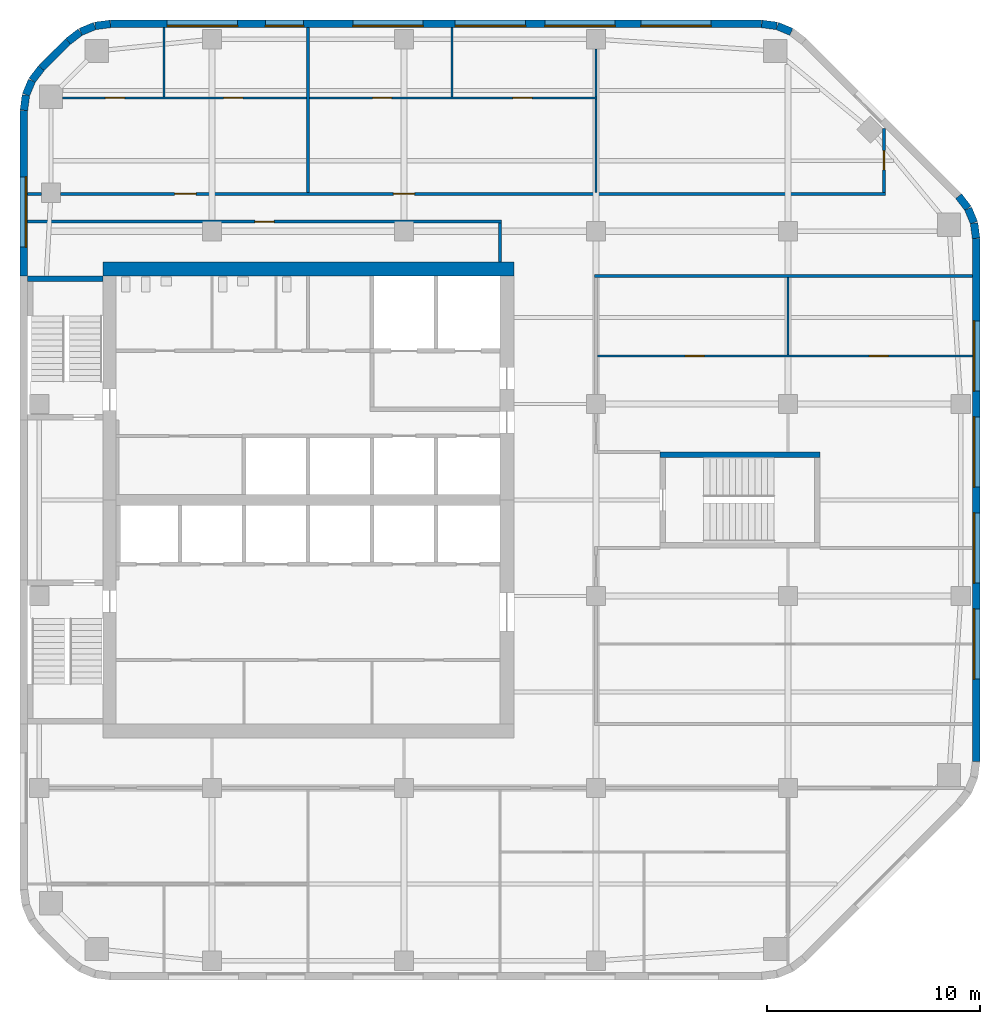
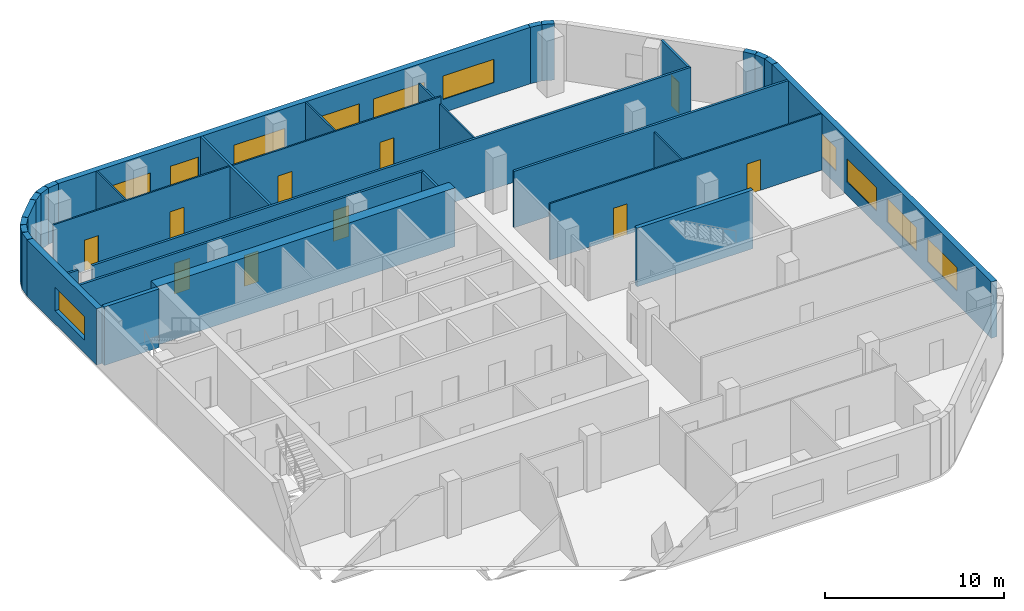
# One storey, part 5 of 8: 33 walls, 11 windows, 10 doors, 21 openings.
"""IFC4 building model written with IfcOpenShell, lengths in metres."""

from ifc_helpers import new_model, si_unit, direction, frame, frame_2d, origin, place, context, subcontext, project, spatial, rectangle, extrude, material, layer, layer_set, type_object, element, fill, save


model = new_model("IFC4")

# Units and contexts
model_context = context("Model", 3, precision=1e-05, world=origin(), true_north=direction((0.0, 1.0)))
body_context = subcontext(model_context, "Body", "Model", "MODEL_VIEW")
ifc_project = project(units=[si_unit("LENGTHUNIT", "METRE"), si_unit("AREAUNIT", "SQUARE_METRE"), si_unit("VOLUMEUNIT", "CUBIC_METRE"), si_unit("PLANEANGLEUNIT", "RADIAN"), si_unit("MASSUNIT", "GRAM", prefix="KILO")], contexts=[model_context])

# Site, building, storey
site_placement = place(None, origin())
site = spatial("IfcSite", under=ifc_project, at=site_placement, CompositionType="ELEMENT")
building_placement = place(site_placement, origin())
building = spatial("IfcBuilding", under=site, at=building_placement, Name="Cinnabar Reach Civic Tower", CompositionType="ELEMENT")
storey_placement = place(building_placement, frame((0.0, 0.0, 157.0)))
storey = spatial("IfcBuildingStorey", under=building, at=storey_placement, Name="L37", CompositionType="ELEMENT", Elevation=157.0)

# Walls
ifc_material_1 = material(Name="Facing brick with insulated backing", Category="masonry")
ifc_layer_1 = layer(ifc_material_1, 0.36)
ifc_layer_set_1 = layer_set([ifc_layer_1], Name="Brick corner wall")
wall_type_1 = type_object("IfcWallType", Name="Brick corner wall", PredefinedType="STANDARD", material=ifc_layer_set_1)
for number, where, z_axis, x_axis, name in (
    (1, (44.817, 43.7686, 0.0), (0.0, 0.0, 1.0), (-0.13055608231, 0.99144092581, 0.0), "Brick corner wall"),
    (2, (44.7181, 44.4973, 0.0), (0.0, 0.0, 1.0), (-0.382702709855, 0.923871547278, 0.0), "Brick corner wall"),
):
    element("IfcWall", number, at=place(storey_placement, frame(where, z_axis=z_axis, x_axis=x_axis)), inside=storey, type_object=wall_type_1, Name=name, PredefinedType="STANDARD", context=body_context, shape_type="SweptSolid", body=[
        extrude(rectangle(XDim=0.7131, YDim=0.36, at=frame_2d((0.3565, 0.0))), origin(), (0.0, 0.0, 1.0), 3.85),
    ])
wall_1_placement = place(storey_placement, frame((44.434, 45.1755, 0.0), z_axis=(0.0, 0.0, 1.0), x_axis=(-0.608802368033, 0.793321924995, 0.0)))
element("IfcWall", 3, at=wall_1_placement, inside=storey, type_object=wall_type_1, Name="Brick corner wall", PredefinedType="STANDARD", context=body_context, shape_type="SweptSolid", body=[
    extrude(rectangle(XDim=0.7132, YDim=0.36, at=frame_2d((0.3566, 0.0))), origin(), (0.0, 0.0, 1.0), 3.85),
])
for number, where, z_axis, x_axis, name in (
    (4, (36.1561, 53.4452, 0.0), (0.0, 0.0, 1.0), (-0.923871547278, 0.382702709855, 0.0), "Brick corner wall"),
    (5, (35.4756, 53.7239, 0.0), (0.0, 0.0, 1.0), (-0.99144092581, 0.13055608231, 0.0), "Brick corner wall"),
    (6, (4.2314, 53.817, 0.0), (0.0, 0.0, 1.0), (-0.99144092581, -0.13055608231, 0.0), "Brick corner wall"),
    (7, (3.5027, 53.7181, 0.0), (0.0, 0.0, 1.0), (-0.923871547278, -0.382702709855, 0.0), "Brick corner wall"),
):
    element("IfcWall", number, at=place(storey_placement, frame(where, z_axis=z_axis, x_axis=x_axis)), inside=storey, type_object=wall_type_1, Name=name, PredefinedType="STANDARD", context=body_context, shape_type="SweptSolid", body=[
        extrude(rectangle(XDim=0.7131, YDim=0.36, at=frame_2d((0.3565, 0.0))), origin(), (0.0, 0.0, 1.0), 3.85),
    ])
for number, where, z_axis, x_axis, name in (
    (8, (2.8245, 53.434, 0.0), (0.0, 0.0, 1.0), (-0.793321924995, -0.608802368033, 0.0), "Brick corner wall"),
    (9, (1.0002, 51.7413, 0.0), (0.0, 0.0, 1.0), (-0.608802368033, -0.793321924995, 0.0), "Brick corner wall"),
):
    element("IfcWall", number, at=place(storey_placement, frame(where, z_axis=z_axis, x_axis=x_axis)), inside=storey, type_object=wall_type_1, Name=name, PredefinedType="STANDARD", context=body_context, shape_type="SweptSolid", body=[
        extrude(rectangle(XDim=0.7132, YDim=0.36, at=frame_2d((0.3566, 0.0))), origin(), (0.0, 0.0, 1.0), 3.85),
    ])
for number, where, z_axis, x_axis, name in (
    (10, (0.5548, 51.1561, 0.0), (0.0, 0.0, 1.0), (-0.382702709855, -0.923871547278, 0.0), "Brick corner wall"),
    (11, (0.2761, 50.4756, 0.0), (0.0, 0.0, 1.0), (-0.13055608231, -0.99144092581, 0.0), "Brick corner wall"),
):
    element("IfcWall", number, at=place(storey_placement, frame(where, z_axis=z_axis, x_axis=x_axis)), inside=storey, type_object=wall_type_1, Name=name, PredefinedType="STANDARD", context=body_context, shape_type="SweptSolid", body=[
        extrude(rectangle(XDim=0.7131, YDim=0.36, at=frame_2d((0.3565, 0.0))), origin(), (0.0, 0.0, 1.0), 3.85),
    ])

# Wall, openings, windows
ifc_layer_2 = layer(ifc_material_1, 0.36)
ifc_layer_set_2 = layer_set([ifc_layer_2], Name="Brick pier and spandrel wall")
wall_type_2 = type_object("IfcWallType", Name="Brick pier and spandrel wall", PredefinedType="STANDARD", material=ifc_layer_set_2)
wall_2_placement = place(storey_placement, frame((44.82, 19.2426, 0.0), z_axis=(0.0, 0.0, 1.0), x_axis=(0.0, 1.0, 0.0)))
wall_2 = element("IfcWall", 12, at=wall_2_placement, inside=storey, type_object=wall_type_2, Name="Brick facade wall", PredefinedType="STANDARD", context=body_context, shape_type="SweptSolid", body=[
    extrude(rectangle(XDim=24.5148, YDim=0.36, at=frame_2d((12.2574, 0.0))), origin(), (0.0, 0.0, 1.0), 3.85),
])
opening_1_placement = place(wall_2_placement, frame((3.8574, 0.0, 0.9)))
opening_1 = element("IfcOpeningElement", 13, at=opening_1_placement, cuts=wall_2, Name="Opening W1768", PredefinedType="OPENING", context=body_context, shape_type="SweptSolid", body=[
    extrude(rectangle(XDim=3.3, YDim=1.6, at=frame_2d((1.65, 0.8))), frame((0.0, 0.19, 0.0), z_axis=(0.0, -1.0, 0.0), x_axis=(1.0, 0.0, 0.0)), (0.0, 0.0, 1.0), 0.38),
])
opening_2_placement = place(wall_2_placement, frame((8.3574, 0.0, 0.9)))
opening_2 = element("IfcOpeningElement", 14, at=opening_2_placement, cuts=wall_2, Name="Opening W1769", PredefinedType="OPENING", context=body_context, shape_type="SweptSolid", body=[
    extrude(rectangle(XDim=3.3, YDim=1.6, at=frame_2d((1.65, 0.8))), frame((0.0, 0.19, 0.0), z_axis=(0.0, -1.0, 0.0), x_axis=(1.0, 0.0, 0.0)), (0.0, 0.0, 1.0), 0.38),
])
opening_3_placement = place(wall_2_placement, frame((12.8574, 0.0, 0.9)))
opening_3 = element("IfcOpeningElement", 15, at=opening_3_placement, cuts=wall_2, Name="Opening W1770", PredefinedType="OPENING", context=body_context, shape_type="SweptSolid", body=[
    extrude(rectangle(XDim=3.3, YDim=1.6, at=frame_2d((1.65, 0.8))), frame((0.0, 0.19, 0.0), z_axis=(0.0, -1.0, 0.0), x_axis=(1.0, 0.0, 0.0)), (0.0, 0.0, 1.0), 0.38),
])
opening_4_placement = place(wall_2_placement, frame((17.3574, 0.0, 0.9)))
opening_4 = element("IfcOpeningElement", 16, at=opening_4_placement, cuts=wall_2, Name="Opening W1771", PredefinedType="OPENING", context=body_context, shape_type="SweptSolid", body=[
    extrude(rectangle(XDim=3.3, YDim=1.6, at=frame_2d((1.65, 0.8))), frame((0.0, 0.19, 0.0), z_axis=(0.0, -1.0, 0.0), x_axis=(1.0, 0.0, 0.0)), (0.0, 0.0, 1.0), 0.38),
])
ifc_material_2 = material(Name="Clear double glazing in aluminium frame", Category="aluminium")
window_type_1 = type_object("IfcWindowType", Name="Deep-set window A", PartitioningType="SINGLE_PANEL", PredefinedType="WINDOW", material=ifc_material_2)
window_1_placement = place(opening_1_placement, origin())
window_1 = element("IfcWindow", 17, at=window_1_placement, inside=storey, type_object=window_type_1, Name="Window east face", OverallHeight=1.6, OverallWidth=3.3, PartitioningType="SINGLE_PANEL", PredefinedType="WINDOW", context=body_context, shape_type="SweptSolid", body=[
    extrude(rectangle(XDim=3.3, YDim=1.6, at=frame_2d((1.65, 0.8))), frame((0.0, 0.13, 0.0), z_axis=(0.0, -1.0, 0.0), x_axis=(1.0, 0.0, 0.0)), (0.0, 0.0, 1.0), 0.06),
])
fill(opening_1, window_1)
window_2_placement = place(opening_2_placement, origin())
window_2 = element("IfcWindow", 18, at=window_2_placement, inside=storey, type_object=window_type_1, Name="Window east face", OverallHeight=1.6, OverallWidth=3.3, PartitioningType="SINGLE_PANEL", PredefinedType="WINDOW", context=body_context, shape_type="SweptSolid", body=[
    extrude(rectangle(XDim=3.3, YDim=1.6, at=frame_2d((1.65, 0.8))), frame((0.0, 0.13, 0.0), z_axis=(0.0, -1.0, 0.0), x_axis=(1.0, 0.0, 0.0)), (0.0, 0.0, 1.0), 0.06),
])
fill(opening_2, window_2)
window_3_placement = place(opening_3_placement, origin())
window_3 = element("IfcWindow", 19, at=window_3_placement, inside=storey, type_object=window_type_1, Name="Window east face", OverallHeight=1.6, OverallWidth=3.3, PartitioningType="SINGLE_PANEL", PredefinedType="WINDOW", context=body_context, shape_type="SweptSolid", body=[
    extrude(rectangle(XDim=3.3, YDim=1.6, at=frame_2d((1.65, 0.8))), frame((0.0, 0.13, 0.0), z_axis=(0.0, -1.0, 0.0), x_axis=(1.0, 0.0, 0.0)), (0.0, 0.0, 1.0), 0.06),
])
fill(opening_3, window_3)
window_4_placement = place(opening_4_placement, origin())
window_4 = element("IfcWindow", 20, at=window_4_placement, inside=storey, type_object=window_type_1, Name="Window east face", OverallHeight=1.6, OverallWidth=3.3, PartitioningType="SINGLE_PANEL", PredefinedType="WINDOW", context=body_context, shape_type="SweptSolid", body=[
    extrude(rectangle(XDim=3.3, YDim=1.6, at=frame_2d((1.65, 0.8))), frame((0.0, 0.13, 0.0), z_axis=(0.0, -1.0, 0.0), x_axis=(1.0, 0.0, 0.0)), (0.0, 0.0, 1.0), 0.06),
])
fill(opening_4, window_4)

wall_3_placement = place(storey_placement, frame((34.7574, 53.82, 0.0), z_axis=(0.0, 0.0, 1.0), x_axis=(-1.0, 0.0, 0.0)))
wall_3 = element("IfcWall", 21, at=wall_3_placement, inside=storey, type_object=wall_type_2, Name="Brick facade wall", PredefinedType="STANDARD", context=body_context, shape_type="SweptSolid", body=[
    extrude(rectangle(XDim=30.5148, YDim=0.36, at=frame_2d((15.2574, 0.0))), origin(), (0.0, 0.0, 1.0), 3.85),
])
opening_5_placement = place(wall_3_placement, frame((2.3574, 0.0, 0.9)))
opening_5 = element("IfcOpeningElement", 22, at=opening_5_placement, cuts=wall_3, Name="Opening W1773", PredefinedType="OPENING", context=body_context, shape_type="SweptSolid", body=[
    extrude(rectangle(XDim=3.3, YDim=1.6, at=frame_2d((1.65, 0.8))), frame((0.0, 0.19, 0.0), z_axis=(0.0, -1.0, 0.0), x_axis=(1.0, 0.0, 0.0)), (0.0, 0.0, 1.0), 0.38),
])
opening_6_placement = place(wall_3_placement, frame((6.8574, 0.0, 0.9)))
opening_6 = element("IfcOpeningElement", 23, at=opening_6_placement, cuts=wall_3, Name="Opening W1774", PredefinedType="OPENING", context=body_context, shape_type="SweptSolid", body=[
    extrude(rectangle(XDim=3.3, YDim=1.6, at=frame_2d((1.65, 0.8))), frame((0.0, 0.19, 0.0), z_axis=(0.0, -1.0, 0.0), x_axis=(1.0, 0.0, 0.0)), (0.0, 0.0, 1.0), 0.38),
])
opening_7_placement = place(wall_3_placement, frame((11.0574, 0.0, 0.9)))
opening_7 = element("IfcOpeningElement", 24, at=opening_7_placement, cuts=wall_3, Name="Opening W1775", PredefinedType="OPENING", context=body_context, shape_type="SweptSolid", body=[
    extrude(rectangle(XDim=3.3, YDim=1.6, at=frame_2d((1.65, 0.8))), frame((0.0, 0.19, 0.0), z_axis=(0.0, -1.0, 0.0), x_axis=(1.0, 0.0, 0.0)), (0.0, 0.0, 1.0), 0.38),
])
opening_8_placement = place(wall_3_placement, frame((15.8574, 0.0, 0.9)))
opening_8 = element("IfcOpeningElement", 25, at=opening_8_placement, cuts=wall_3, Name="Opening W1776", PredefinedType="OPENING", context=body_context, shape_type="SweptSolid", body=[
    extrude(rectangle(XDim=3.3, YDim=1.6, at=frame_2d((1.65, 0.8))), frame((0.0, 0.19, 0.0), z_axis=(0.0, -1.0, 0.0), x_axis=(1.0, 0.0, 0.0)), (0.0, 0.0, 1.0), 0.38),
])
opening_9_placement = place(wall_3_placement, frame((21.4574, 0.0, 0.9)))
opening_9 = element("IfcOpeningElement", 26, at=opening_9_placement, cuts=wall_3, Name="Opening W1777", PredefinedType="OPENING", context=body_context, shape_type="SweptSolid", body=[
    extrude(rectangle(XDim=1.8, YDim=1.6, at=frame_2d((0.9, 0.8))), frame((0.0, 0.19, 0.0), z_axis=(0.0, -1.0, 0.0), x_axis=(1.0, 0.0, 0.0)), (0.0, 0.0, 1.0), 0.38),
])
opening_10_placement = place(wall_3_placement, frame((24.5574, 0.0, 0.9)))
opening_10 = element("IfcOpeningElement", 27, at=opening_10_placement, cuts=wall_3, Name="Opening W1778", PredefinedType="OPENING", context=body_context, shape_type="SweptSolid", body=[
    extrude(rectangle(XDim=3.3, YDim=1.6, at=frame_2d((1.65, 0.8))), frame((0.0, 0.19, 0.0), z_axis=(0.0, -1.0, 0.0), x_axis=(1.0, 0.0, 0.0)), (0.0, 0.0, 1.0), 0.38),
])
window_5_placement = place(opening_5_placement, origin())
window_5 = element("IfcWindow", 28, at=window_5_placement, inside=storey, type_object=window_type_1, Name="Window north face", OverallHeight=1.6, OverallWidth=3.3, PartitioningType="SINGLE_PANEL", PredefinedType="WINDOW", context=body_context, shape_type="SweptSolid", body=[
    extrude(rectangle(XDim=3.3, YDim=1.6, at=frame_2d((1.65, 0.8))), frame((0.0, 0.13, 0.0), z_axis=(0.0, -1.0, 0.0), x_axis=(1.0, 0.0, 0.0)), (0.0, 0.0, 1.0), 0.06),
])
fill(opening_5, window_5)
window_6_placement = place(opening_6_placement, origin())
window_6 = element("IfcWindow", 29, at=window_6_placement, inside=storey, type_object=window_type_1, Name="Window north face", OverallHeight=1.6, OverallWidth=3.3, PartitioningType="SINGLE_PANEL", PredefinedType="WINDOW", context=body_context, shape_type="SweptSolid", body=[
    extrude(rectangle(XDim=3.3, YDim=1.6, at=frame_2d((1.65, 0.8))), frame((0.0, 0.13, 0.0), z_axis=(0.0, -1.0, 0.0), x_axis=(1.0, 0.0, 0.0)), (0.0, 0.0, 1.0), 0.06),
])
fill(opening_6, window_6)
window_7_placement = place(opening_7_placement, origin())
window_7 = element("IfcWindow", 30, at=window_7_placement, inside=storey, type_object=window_type_1, Name="Window north face", OverallHeight=1.6, OverallWidth=3.3, PartitioningType="SINGLE_PANEL", PredefinedType="WINDOW", context=body_context, shape_type="SweptSolid", body=[
    extrude(rectangle(XDim=3.3, YDim=1.6, at=frame_2d((1.65, 0.8))), frame((0.0, 0.13, 0.0), z_axis=(0.0, -1.0, 0.0), x_axis=(1.0, 0.0, 0.0)), (0.0, 0.0, 1.0), 0.06),
])
fill(opening_7, window_7)
window_8_placement = place(opening_8_placement, origin())
window_8 = element("IfcWindow", 31, at=window_8_placement, inside=storey, type_object=window_type_1, Name="Window north face", OverallHeight=1.6, OverallWidth=3.3, PartitioningType="SINGLE_PANEL", PredefinedType="WINDOW", context=body_context, shape_type="SweptSolid", body=[
    extrude(rectangle(XDim=3.3, YDim=1.6, at=frame_2d((1.65, 0.8))), frame((0.0, 0.13, 0.0), z_axis=(0.0, -1.0, 0.0), x_axis=(1.0, 0.0, 0.0)), (0.0, 0.0, 1.0), 0.06),
])
fill(opening_8, window_8)
window_9_placement = place(opening_10_placement, origin())
window_9 = element("IfcWindow", 32, at=window_9_placement, inside=storey, type_object=window_type_1, Name="Window north face", OverallHeight=1.6, OverallWidth=3.3, PartitioningType="SINGLE_PANEL", PredefinedType="WINDOW", context=body_context, shape_type="SweptSolid", body=[
    extrude(rectangle(XDim=3.3, YDim=1.6, at=frame_2d((1.65, 0.8))), frame((0.0, 0.13, 0.0), z_axis=(0.0, -1.0, 0.0), x_axis=(1.0, 0.0, 0.0)), (0.0, 0.0, 1.0), 0.06),
])
fill(opening_10, window_9)
window_type_2 = type_object("IfcWindowType", Name="Deep-set window D", PartitioningType="SINGLE_PANEL", PredefinedType="WINDOW", material=ifc_material_2)
window_10_placement = place(opening_9_placement, origin())
window_10 = element("IfcWindow", 33, at=window_10_placement, inside=storey, type_object=window_type_2, Name="Window north face", OverallHeight=1.6, OverallWidth=1.8, PartitioningType="SINGLE_PANEL", PredefinedType="WINDOW", context=body_context, shape_type="SweptSolid", body=[
    extrude(rectangle(XDim=1.8, YDim=1.6, at=frame_2d((0.9, 0.8))), frame((0.0, 0.13, 0.0), z_axis=(0.0, -1.0, 0.0), x_axis=(1.0, 0.0, 0.0)), (0.0, 0.0, 1.0), 0.06),
])
fill(opening_9, window_10)

# Wall
wall_4_placement = place(storey_placement, frame((2.2486, 52.994, 0.0), z_axis=(0.0, 0.0, 1.0), x_axis=(-0.707106781187, -0.707106781187, 0.0)))
element("IfcWall", 34, at=wall_4_placement, inside=storey, type_object=wall_type_2, Name="Brick facade wall", PredefinedType="STANDARD", context=body_context, shape_type="SweptSolid", body=[
    extrude(rectangle(XDim=1.7573, YDim=0.36, at=frame_2d((0.8787, 0.0))), origin(), (0.0, 0.0, 1.0), 3.85),
])

# Wall, opening, window
wall_5_placement = place(storey_placement, frame((0.18, 49.7574, 0.0), z_axis=(0.0, 0.0, 1.0), x_axis=(0.0, -1.0, 0.0)))
wall_5 = element("IfcWall", 35, at=wall_5_placement, inside=storey, type_object=wall_type_2, Name="Brick facade wall", PredefinedType="STANDARD", context=body_context, shape_type="SweptSolid", body=[
    extrude(rectangle(XDim=7.7574, YDim=0.36, at=frame_2d((3.8787, 0.0))), origin(), (0.0, 0.0, 1.0), 3.85),
])
opening_11_placement = place(wall_5_placement, frame((3.1074, 0.0, 0.9)))
opening_11 = element("IfcOpeningElement", 36, at=opening_11_placement, cuts=wall_5, Name="Opening W1779", PredefinedType="OPENING", context=body_context, shape_type="SweptSolid", body=[
    extrude(rectangle(XDim=3.3, YDim=1.6, at=frame_2d((1.65, 0.8))), frame((0.0, 0.19, 0.0), z_axis=(0.0, -1.0, 0.0), x_axis=(1.0, 0.0, 0.0)), (0.0, 0.0, 1.0), 0.38),
])
window_11_placement = place(opening_11_placement, origin())
window_11 = element("IfcWindow", 37, at=window_11_placement, inside=storey, type_object=window_type_1, Name="Window west face", OverallHeight=1.6, OverallWidth=3.3, PartitioningType="SINGLE_PANEL", PredefinedType="WINDOW", context=body_context, shape_type="SweptSolid", body=[
    extrude(rectangle(XDim=3.3, YDim=1.6, at=frame_2d((1.65, 0.8))), frame((0.0, 0.13, 0.0), z_axis=(0.0, -1.0, 0.0), x_axis=(1.0, 0.0, 0.0)), (0.0, 0.0, 1.0), 0.06),
])
fill(opening_11, window_11)

# Wall
ifc_material_3 = material(Name="Concrete C70", Category="concrete")
ifc_layer_3 = layer(ifc_material_3, 0.65)
ifc_layer_set_3 = layer_set([ifc_layer_3], Name="Core wall 650 EI 180")
wall_type_3 = type_object("IfcWallType", Name="Core wall 650 EI 180", PredefinedType="SOLIDWALL", material=ifc_layer_set_3)
wall_6_placement = place(storey_placement, frame((23.15, 42.325, 0.0), z_axis=(0.0, 0.0, 1.0), x_axis=(-1.0, 0.0, 0.0)))
element("IfcWall", 38, at=wall_6_placement, inside=storey, type_object=wall_type_3, Name="Core wall T1 L37 N", PredefinedType="SOLIDWALL", context=body_context, shape_type="SweptSolid", body=[
    extrude(rectangle(XDim=19.25, YDim=0.65, at=frame_2d((9.625, 0.0))), origin(), (0.0, 0.0, 1.0), 4.0),
])

# Wall, openings, doors
ifc_material_4 = material(Name="Gypsum board on steel studs, double layer", Category="steel")
ifc_layer_4 = layer(ifc_material_4, 0.15)
ifc_layer_set_4 = layer_set([ifc_layer_4], Name="Corridor wall 150 T1")
wall_type_4 = type_object("IfcWallType", Name="Corridor wall 150 T1", PredefinedType="PARTITIONING", material=ifc_layer_set_4)
wall_7_placement = place(storey_placement, frame((1.9031, 45.85, 0.0), z_axis=(0.0, 0.0, 1.0), x_axis=(1.0, 0.0, 0.0)))
wall_7 = element("IfcWall", 39, at=wall_7_placement, inside=storey, type_object=wall_type_4, Name="Corridor wall 23", PredefinedType="PARTITIONING", context=body_context, shape_type="SweptSolid", body=[
    extrude(rectangle(XDim=38.6718, YDim=0.15, at=frame_2d((19.3359, 0.0))), origin(), (0.0, 0.0, 1.0), 3.85),
])
opening_12_placement = place(wall_7_placement, frame((5.35, 0.0, 0.0)))
opening_12 = element("IfcOpeningElement", 40, at=opening_12_placement, cuts=wall_7, Name="Opening D4535", PredefinedType="OPENING", context=body_context, shape_type="SweptSolid", body=[
    extrude(rectangle(XDim=1.0, YDim=2.1, at=frame_2d((0.5, 1.05))), frame((0.0, 0.085, 0.0), z_axis=(0.0, -1.0, 0.0), x_axis=(1.0, 0.0, 0.0)), (0.0, 0.0, 1.0), 0.17),
])
opening_13_placement = place(wall_7_placement, frame((15.5969, 0.0, 0.0)))
opening_13 = element("IfcOpeningElement", 41, at=opening_13_placement, cuts=wall_7, Name="Opening D4538", PredefinedType="OPENING", context=body_context, shape_type="SweptSolid", body=[
    extrude(rectangle(XDim=1.0, YDim=2.1, at=frame_2d((0.5, 1.05))), frame((0.0, 0.085, 0.0), z_axis=(0.0, -1.0, 0.0), x_axis=(1.0, 0.0, 0.0)), (0.0, 0.0, 1.0), 0.17),
])
ifc_material_5 = material(Name="Timber door leaf in steel frame", Category="steel")
door_type_1 = type_object("IfcDoorType", Name="Tenancy entrance door 1000 x 2100 T1", OperationType="SINGLE_SWING_LEFT", PredefinedType="DOOR", material=ifc_material_5)
door_1_placement = place(opening_12_placement, origin())
door_1 = element("IfcDoor", 42, at=door_1_placement, inside=storey, type_object=door_type_1, Name="Door D4535", OperationType="SINGLE_SWING_RIGHT", OverallHeight=2.1, OverallWidth=1.0, PredefinedType="DOOR", context=body_context, shape_type="SweptSolid", body=[
    extrude(rectangle(XDim=1.0, YDim=2.1, at=frame_2d((0.5, 1.05))), frame((0.0, 0.025, 0.0), z_axis=(0.0, -1.0, 0.0), x_axis=(1.0, 0.0, 0.0)), (0.0, 0.0, 1.0), 0.05),
])
fill(opening_12, door_1)
door_2_placement = place(opening_13_placement, origin())
door_2 = element("IfcDoor", 43, at=door_2_placement, inside=storey, type_object=door_type_1, Name="Door D4538", OperationType="SINGLE_SWING_RIGHT", OverallHeight=2.1, OverallWidth=1.0, PredefinedType="DOOR", context=body_context, shape_type="SweptSolid", body=[
    extrude(rectangle(XDim=1.0, YDim=2.1, at=frame_2d((0.5, 1.05))), frame((0.0, 0.025, 0.0), z_axis=(0.0, -1.0, 0.0), x_axis=(1.0, 0.0, 0.0)), (0.0, 0.0, 1.0), 0.05),
])
fill(opening_13, door_2)

# Wall
wall_8_placement = place(storey_placement, frame((0.36, 45.85, 0.0), z_axis=(0.0, 0.0, 1.0), x_axis=(1.0, 0.0, 0.0)))
element("IfcWall", 44, at=wall_8_placement, inside=storey, type_object=wall_type_4, Name="Corridor wall 24", PredefinedType="PARTITIONING", context=body_context, shape_type="SweptSolid", body=[
    extrude(rectangle(XDim=0.6431, YDim=0.15, at=frame_2d((0.3216, 0.0))), origin(), (0.0, 0.0, 1.0), 3.85),
])

# Wall, opening, door
wall_9_placement = place(storey_placement, frame((0.36, 44.55, 0.0), z_axis=(0.0, 0.0, 1.0), x_axis=(1.0, 0.0, 0.0)))
wall_9 = element("IfcWall", 45, at=wall_9_placement, inside=storey, type_object=wall_type_4, Name="Corridor wall 25", PredefinedType="PARTITIONING", context=body_context, shape_type="SweptSolid", body=[
    extrude(rectangle(XDim=22.215, YDim=0.15, at=frame_2d((11.1075, 0.0))), origin(), (0.0, 0.0, 1.0), 3.85),
])
opening_14_placement = place(wall_9_placement, frame((10.65, 0.0, 0.0)))
opening_14 = element("IfcOpeningElement", 46, at=opening_14_placement, cuts=wall_9, Name="Opening D5794", PredefinedType="OPENING", context=body_context, shape_type="SweptSolid", body=[
    extrude(rectangle(XDim=0.9, YDim=2.1, at=frame_2d((0.45, 1.05))), frame((0.0, 0.085, 0.0), z_axis=(0.0, -1.0, 0.0), x_axis=(1.0, 0.0, 0.0)), (0.0, 0.0, 1.0), 0.17),
])
door_type_2 = type_object("IfcDoorType", Name="Single swing door 900 x 2100 corridor T1", OperationType="SINGLE_SWING_LEFT", PredefinedType="DOOR", material=ifc_material_5)
door_3_placement = place(opening_14_placement, frame((0.9, 0.0, 0.0), z_axis=(0.0, 0.0, 1.0), x_axis=(-1.0, 0.0, 0.0)))
door_3 = element("IfcDoor", 47, at=door_3_placement, inside=storey, type_object=door_type_2, Name="Door D5794", OperationType="SINGLE_SWING_LEFT", OverallHeight=2.1, OverallWidth=0.9, PredefinedType="DOOR", context=body_context, shape_type="SweptSolid", body=[
    extrude(rectangle(XDim=0.9, YDim=2.1, at=frame_2d((0.45, 1.05))), frame((0.0, 0.025, 0.0), z_axis=(0.0, -1.0, 0.0), x_axis=(1.0, 0.0, 0.0)), (0.0, 0.0, 1.0), 0.05),
])
fill(opening_14, door_3)

# Wall
wall_10_placement = place(storey_placement, frame((26.925, 42.0, 0.0), z_axis=(0.0, 0.0, 1.0), x_axis=(1.0, 0.0, 0.0)))
element("IfcWall", 48, at=wall_10_placement, inside=storey, type_object=wall_type_4, Name="Corridor wall 28", PredefinedType="PARTITIONING", context=body_context, shape_type="SweptSolid", body=[
    extrude(rectangle(XDim=17.715, YDim=0.15, at=frame_2d((8.8575, 0.0))), origin(), (0.0, 0.0, 1.0), 3.85),
])

# Wall, opening, door
wall_11_placement = place(storey_placement, frame((40.5, 45.925, 0.0), z_axis=(0.0, 0.0, 1.0), x_axis=(0.0, 1.0, 0.0)))
wall_11 = element("IfcWall", 49, at=wall_11_placement, inside=storey, type_object=wall_type_4, Name="Corridor wall 37", PredefinedType="PARTITIONING", context=body_context, shape_type="SweptSolid", body=[
    extrude(rectangle(XDim=2.991, YDim=0.15, at=frame_2d((1.4955, 0.0))), origin(), (0.0, 0.0, 1.0), 3.85),
])
opening_15_placement = place(wall_11_placement, frame((1.05, 0.0, 0.0)))
opening_15 = element("IfcOpeningElement", 50, at=opening_15_placement, cuts=wall_11, Name="Opening D4541", PredefinedType="OPENING", context=body_context, shape_type="SweptSolid", body=[
    extrude(rectangle(XDim=0.9, YDim=2.1, at=frame_2d((0.45, 1.05))), frame((0.0, 0.085, 0.0), z_axis=(0.0, -1.0, 0.0), x_axis=(1.0, 0.0, 0.0)), (0.0, 0.0, 1.0), 0.17),
])
door_4_placement = place(opening_15_placement, origin())
door_4 = element("IfcDoor", 51, at=door_4_placement, inside=storey, type_object=door_type_2, Name="Door D4541", OperationType="SINGLE_SWING_LEFT", OverallHeight=2.1, OverallWidth=0.9, PredefinedType="DOOR", context=body_context, shape_type="SweptSolid", body=[
    extrude(rectangle(XDim=0.9, YDim=2.1, at=frame_2d((0.45, 1.05))), frame((0.0, 0.025, 0.0), z_axis=(0.0, -1.0, 0.0), x_axis=(1.0, 0.0, 0.0)), (0.0, 0.0, 1.0), 0.05),
])
fill(opening_15, door_4)

# Wall
wall_12_placement = place(storey_placement, frame((22.5, 42.65, 0.0), z_axis=(0.0, 0.0, 1.0), x_axis=(0.0, 1.0, 0.0)))
element("IfcWall", 52, at=wall_12_placement, inside=storey, type_object=wall_type_4, Name="Corridor wall 40", PredefinedType="PARTITIONING", context=body_context, shape_type="SweptSolid", body=[
    extrude(rectangle(XDim=1.825, YDim=0.15, at=frame_2d((0.9125, 0.0))), origin(), (0.0, 0.0, 1.0), 3.85),
])

# Wall, openings, doors
ifc_material_6 = material(Name="Gypsum board on steel studs", Category="steel")
ifc_layer_5 = layer(ifc_material_6, 0.1)
ifc_layer_set_5 = layer_set([ifc_layer_5], Name="Partition wall 100 T1")
wall_type_5 = type_object("IfcWallType", Name="Partition wall 100 T1", PredefinedType="PARTITIONING", material=ifc_layer_set_5)
wall_13_placement = place(storey_placement, frame((13.575, 50.35, 0.0), z_axis=(0.0, 0.0, 1.0), x_axis=(1.0, 0.0, 0.0)))
wall_13 = element("IfcWall", 53, at=wall_13_placement, inside=storey, type_object=wall_type_5, Name="Partition wall 45", PredefinedType="PARTITIONING", context=body_context, shape_type="SweptSolid", body=[
    extrude(rectangle(XDim=13.475, YDim=0.1, at=frame_2d((6.7375, 0.0))), origin(), (0.0, 0.0, 1.0), 3.85),
])
opening_16_placement = place(wall_13_placement, frame((2.95, 0.0, 0.0)))
opening_16 = element("IfcOpeningElement", 54, at=opening_16_placement, cuts=wall_13, Name="Opening D4539", PredefinedType="OPENING", context=body_context, shape_type="SweptSolid", body=[
    extrude(rectangle(XDim=0.9, YDim=2.1, at=frame_2d((0.45, 1.05))), frame((0.0, 0.06, 0.0), z_axis=(0.0, -1.0, 0.0), x_axis=(1.0, 0.0, 0.0)), (0.0, 0.0, 1.0), 0.12),
])
opening_17_placement = place(wall_13_placement, frame((9.525, 0.0, 0.0)))
opening_17 = element("IfcOpeningElement", 55, at=opening_17_placement, cuts=wall_13, Name="Opening D4540", PredefinedType="OPENING", context=body_context, shape_type="SweptSolid", body=[
    extrude(rectangle(XDim=0.9, YDim=2.1, at=frame_2d((0.45, 1.05))), frame((0.0, 0.06, 0.0), z_axis=(0.0, -1.0, 0.0), x_axis=(1.0, 0.0, 0.0)), (0.0, 0.0, 1.0), 0.12),
])
door_type_3 = type_object("IfcDoorType", Name="Single swing door 900 x 2100 T1", OperationType="SINGLE_SWING_LEFT", PredefinedType="DOOR", material=ifc_material_5)
door_5_placement = place(opening_16_placement, origin())
door_5 = element("IfcDoor", 56, at=door_5_placement, inside=storey, type_object=door_type_3, Name="Door D4539", OperationType="SINGLE_SWING_LEFT", OverallHeight=2.1, OverallWidth=0.9, PredefinedType="DOOR", context=body_context, shape_type="SweptSolid", body=[
    extrude(rectangle(XDim=0.9, YDim=2.1, at=frame_2d((0.45, 1.05))), frame((0.0, 0.025, 0.0), z_axis=(0.0, -1.0, 0.0), x_axis=(1.0, 0.0, 0.0)), (0.0, 0.0, 1.0), 0.05),
])
fill(opening_16, door_5)
door_6_placement = place(opening_17_placement, origin())
door_6 = element("IfcDoor", 57, at=door_6_placement, inside=storey, type_object=door_type_3, Name="Door D4540", OperationType="SINGLE_SWING_RIGHT", OverallHeight=2.1, OverallWidth=0.9, PredefinedType="DOOR", context=body_context, shape_type="SweptSolid", body=[
    extrude(rectangle(XDim=0.9, YDim=2.1, at=frame_2d((0.45, 1.05))), frame((0.0, 0.025, 0.0), z_axis=(0.0, -1.0, 0.0), x_axis=(1.0, 0.0, 0.0)), (0.0, 0.0, 1.0), 0.05),
])
fill(opening_17, door_6)

wall_14_placement = place(storey_placement, frame((2.0031, 50.35, 0.0), z_axis=(0.0, 0.0, 1.0), x_axis=(1.0, 0.0, 0.0)))
wall_14 = element("IfcWall", 58, at=wall_14_placement, inside=storey, type_object=wall_type_5, Name="Partition wall 46", PredefinedType="PARTITIONING", context=body_context, shape_type="SweptSolid", body=[
    extrude(rectangle(XDim=11.4219, YDim=0.1, at=frame_2d((5.711, 0.0))), origin(), (0.0, 0.0, 1.0), 3.85),
])
opening_18_placement = place(wall_14_placement, frame((2.0, 0.0, 0.0)))
opening_18 = element("IfcOpeningElement", 59, at=opening_18_placement, cuts=wall_14, Name="Opening D4536", PredefinedType="OPENING", context=body_context, shape_type="SweptSolid", body=[
    extrude(rectangle(XDim=0.9, YDim=2.1, at=frame_2d((0.45, 1.05))), frame((0.0, 0.06, 0.0), z_axis=(0.0, -1.0, 0.0), x_axis=(1.0, 0.0, 0.0)), (0.0, 0.0, 1.0), 0.12),
])
opening_19_placement = place(wall_14_placement, frame((7.5469, 0.0, 0.0)))
opening_19 = element("IfcOpeningElement", 60, at=opening_19_placement, cuts=wall_14, Name="Opening D4537", PredefinedType="OPENING", context=body_context, shape_type="SweptSolid", body=[
    extrude(rectangle(XDim=0.9, YDim=2.1, at=frame_2d((0.45, 1.05))), frame((0.0, 0.06, 0.0), z_axis=(0.0, -1.0, 0.0), x_axis=(1.0, 0.0, 0.0)), (0.0, 0.0, 1.0), 0.12),
])
door_7_placement = place(opening_18_placement, origin())
door_7 = element("IfcDoor", 61, at=door_7_placement, inside=storey, type_object=door_type_3, Name="Door D4536", OperationType="SINGLE_SWING_RIGHT", OverallHeight=2.1, OverallWidth=0.9, PredefinedType="DOOR", context=body_context, shape_type="SweptSolid", body=[
    extrude(rectangle(XDim=0.9, YDim=2.1, at=frame_2d((0.45, 1.05))), frame((0.0, 0.025, 0.0), z_axis=(0.0, -1.0, 0.0), x_axis=(1.0, 0.0, 0.0)), (0.0, 0.0, 1.0), 0.05),
])
fill(opening_18, door_7)
door_8_placement = place(opening_19_placement, origin())
door_8 = element("IfcDoor", 62, at=door_8_placement, inside=storey, type_object=door_type_3, Name="Door D4537", OperationType="SINGLE_SWING_RIGHT", OverallHeight=2.1, OverallWidth=0.9, PredefinedType="DOOR", context=body_context, shape_type="SweptSolid", body=[
    extrude(rectangle(XDim=0.9, YDim=2.1, at=frame_2d((0.45, 1.05))), frame((0.0, 0.025, 0.0), z_axis=(0.0, -1.0, 0.0), x_axis=(1.0, 0.0, 0.0)), (0.0, 0.0, 1.0), 0.05),
])
fill(opening_19, door_8)

wall_15_placement = place(storey_placement, frame((27.075, 38.25, 0.0), z_axis=(0.0, 0.0, 1.0), x_axis=(1.0, 0.0, 0.0)))
wall_15 = element("IfcWall", 63, at=wall_15_placement, inside=storey, type_object=wall_type_5, Name="Partition wall 48", PredefinedType="PARTITIONING", context=body_context, shape_type="SweptSolid", body=[
    extrude(rectangle(XDim=17.565, YDim=0.1, at=frame_2d((8.7825, 0.0))), origin(), (0.0, 0.0, 1.0), 3.85),
])
opening_20_placement = place(wall_15_placement, frame((4.1, 0.0, 0.0)))
opening_20 = element("IfcOpeningElement", 64, at=opening_20_placement, cuts=wall_15, Name="Opening D4523", PredefinedType="OPENING", context=body_context, shape_type="SweptSolid", body=[
    extrude(rectangle(XDim=0.9, YDim=2.1, at=frame_2d((0.45, 1.05))), frame((0.0, 0.06, 0.0), z_axis=(0.0, -1.0, 0.0), x_axis=(1.0, 0.0, 0.0)), (0.0, 0.0, 1.0), 0.12),
])
opening_21_placement = place(wall_15_placement, frame((12.725, 0.0, 0.0)))
opening_21 = element("IfcOpeningElement", 65, at=opening_21_placement, cuts=wall_15, Name="Opening D4524", PredefinedType="OPENING", context=body_context, shape_type="SweptSolid", body=[
    extrude(rectangle(XDim=0.9, YDim=2.1, at=frame_2d((0.45, 1.05))), frame((0.0, 0.06, 0.0), z_axis=(0.0, -1.0, 0.0), x_axis=(1.0, 0.0, 0.0)), (0.0, 0.0, 1.0), 0.12),
])
door_9_placement = place(opening_20_placement, origin())
door_9 = element("IfcDoor", 66, at=door_9_placement, inside=storey, type_object=door_type_3, Name="Door D4523", OperationType="SINGLE_SWING_LEFT", OverallHeight=2.1, OverallWidth=0.9, PredefinedType="DOOR", context=body_context, shape_type="SweptSolid", body=[
    extrude(rectangle(XDim=0.9, YDim=2.1, at=frame_2d((0.45, 1.05))), frame((0.0, 0.025, 0.0), z_axis=(0.0, -1.0, 0.0), x_axis=(1.0, 0.0, 0.0)), (0.0, 0.0, 1.0), 0.05),
])
fill(opening_20, door_9)
door_10_placement = place(opening_21_placement, origin())
door_10 = element("IfcDoor", 67, at=door_10_placement, inside=storey, type_object=door_type_3, Name="Door D4524", OperationType="SINGLE_SWING_LEFT", OverallHeight=2.1, OverallWidth=0.9, PredefinedType="DOOR", context=body_context, shape_type="SweptSolid", body=[
    extrude(rectangle(XDim=0.9, YDim=2.1, at=frame_2d((0.45, 1.05))), frame((0.0, 0.025, 0.0), z_axis=(0.0, -1.0, 0.0), x_axis=(1.0, 0.0, 0.0)), (0.0, 0.0, 1.0), 0.05),
])
fill(opening_21, door_10)

# Walls
wall_16_placement = place(storey_placement, frame((27.0, 45.925, 0.0), z_axis=(0.0, 0.0, 1.0), x_axis=(0.0, 1.0, 0.0)))
element("IfcWall", 68, at=wall_16_placement, inside=storey, type_object=wall_type_5, Name="Partition wall 57", PredefinedType="PARTITIONING", context=body_context, shape_type="SweptSolid", body=[
    extrude(rectangle(XDim=4.375, YDim=0.1, at=frame_2d((2.1875, 0.0))), origin(), (0.0, 0.0, 1.0), 3.362),
])
wall_17_placement = place(storey_placement, frame((27.0, 50.4, 0.0), z_axis=(0.0, 0.0, 1.0), x_axis=(0.0, 1.0, 0.0)))
element("IfcWall", 69, at=wall_17_placement, inside=storey, type_object=wall_type_5, Name="Partition wall 58", PredefinedType="PARTITIONING", context=body_context, shape_type="SweptSolid", body=[
    extrude(rectangle(XDim=2.25, YDim=0.1, at=frame_2d((1.125, 0.0))), origin(), (0.0, 0.0, 1.0), 3.362),
])
wall_18_placement = place(storey_placement, frame((36.0, 38.3, 0.0), z_axis=(0.0, 0.0, 1.0), x_axis=(0.0, 1.0, 0.0)))
element("IfcWall", 70, at=wall_18_placement, inside=storey, type_object=wall_type_5, Name="Partition wall 61", PredefinedType="PARTITIONING", context=body_context, shape_type="SweptSolid", body=[
    extrude(rectangle(XDim=3.625, YDim=0.1, at=frame_2d((1.8125, 0.0))), origin(), (0.0, 0.0, 1.0), 3.362),
])
for number, where, z_axis, x_axis, name in (
    (71, (6.75, 50.4, 0.0), (0.0, 0.0, 1.0), (0.0, 1.0, 0.0), "Partition wall 64"),
    (72, (20.25, 50.4, 0.0), (0.0, 0.0, 1.0), (0.0, 1.0, 0.0), "Partition wall 65"),
):
    element("IfcWall", number, at=place(storey_placement, frame(where, z_axis=z_axis, x_axis=x_axis)), inside=storey, type_object=wall_type_5, Name=name, PredefinedType="PARTITIONING", context=body_context, shape_type="SweptSolid", body=[
        extrude(rectangle(XDim=3.24, YDim=0.1, at=frame_2d((1.62, 0.0))), origin(), (0.0, 0.0, 1.0), 3.85),
    ])
ifc_material_7 = material(Name="Concrete C60", Category="concrete")
ifc_layer_6 = layer(ifc_material_7, 0.25)
ifc_layer_set_6 = layer_set([ifc_layer_6], Name="Stair shaft wall 250 EI 120")
wall_type_6 = type_object("IfcWallType", Name="Stair shaft wall 250 EI 120", PredefinedType="SOLIDWALL", material=ifc_layer_set_6)
wall_19_placement = place(storey_placement, frame((3.9, 41.875, 0.0), z_axis=(0.0, 0.0, 1.0), x_axis=(-1.0, 0.0, 0.0)))
element("IfcWall", 73, at=wall_19_placement, inside=storey, type_object=wall_type_6, Name="Stair shaft wall T1-S2 L37", PredefinedType="SOLIDWALL", context=body_context, shape_type="SweptSolid", body=[
    extrude(rectangle(XDim=3.54, YDim=0.25, at=frame_2d((1.77, 0.0))), origin(), (0.0, 0.0, 1.0), 4.0),
])
wall_20_placement = place(storey_placement, frame((37.5, 33.625, 0.0), z_axis=(0.0, 0.0, 1.0), x_axis=(-1.0, 0.0, 0.0)))
element("IfcWall", 74, at=wall_20_placement, inside=storey, type_object=wall_type_6, Name="Stair shaft wall T1-S3 L37", PredefinedType="SOLIDWALL", context=body_context, shape_type="SweptSolid", body=[
    extrude(rectangle(XDim=7.5, YDim=0.25, at=frame_2d((3.75, 0.0))), origin(), (0.0, 0.0, 1.0), 4.0),
])
ifc_layer_7 = layer(ifc_material_4, 0.15)
ifc_layer_set_7 = layer_set([ifc_layer_7], Name="Tenancy separating wall 150 T1")
wall_type_7 = type_object("IfcWallType", Name="Tenancy separating wall 150 T1", PredefinedType="PARTITIONING", material=ifc_layer_set_7)
wall_21_placement = place(storey_placement, frame((13.5, 45.925, 0.0), z_axis=(0.0, 0.0, 1.0), x_axis=(0.0, 1.0, 0.0)))
element("IfcWall", 75, at=wall_21_placement, inside=storey, type_object=wall_type_7, Name="Tenancy separating wall 43", PredefinedType="PARTITIONING", context=body_context, shape_type="SweptSolid", body=[
    extrude(rectangle(XDim=7.715, YDim=0.15, at=frame_2d((3.8575, 0.0))), origin(), (0.0, 0.0, 1.0), 3.85),
])

save(model, "model.ifc")
